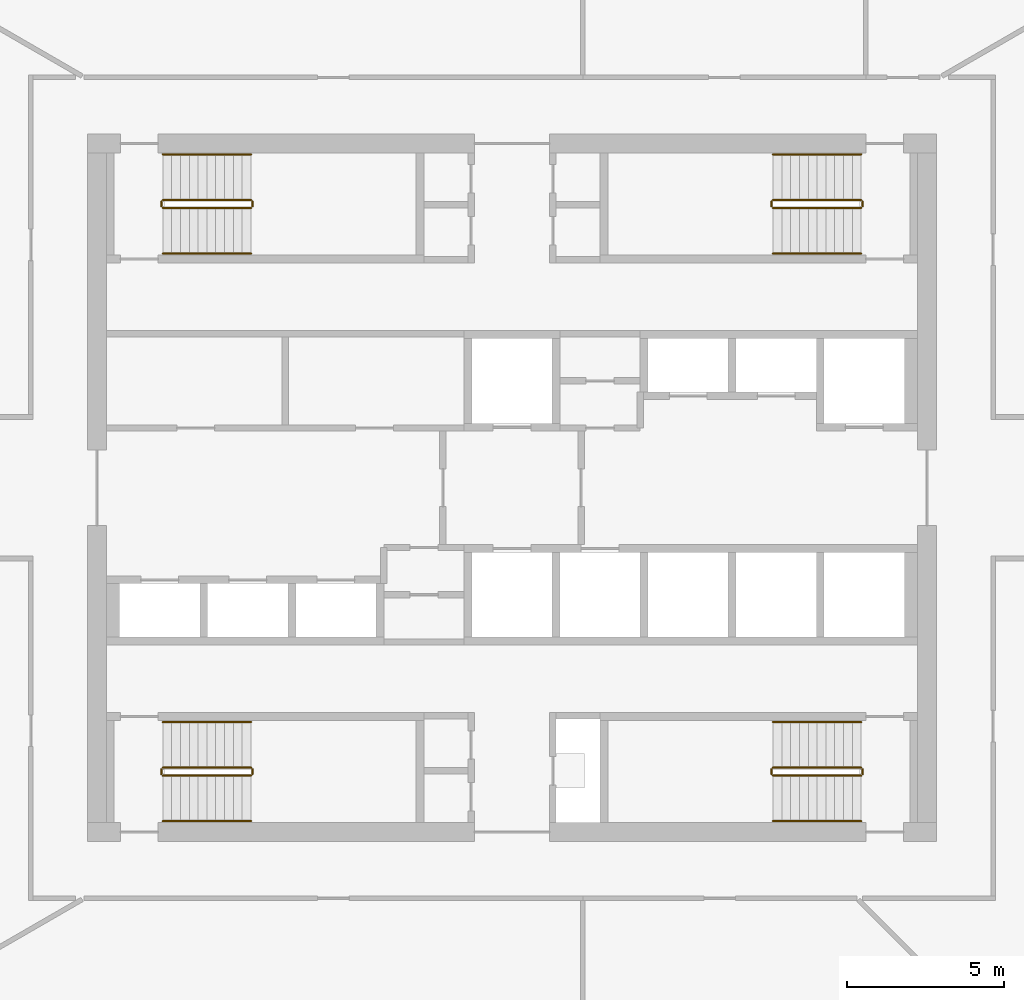
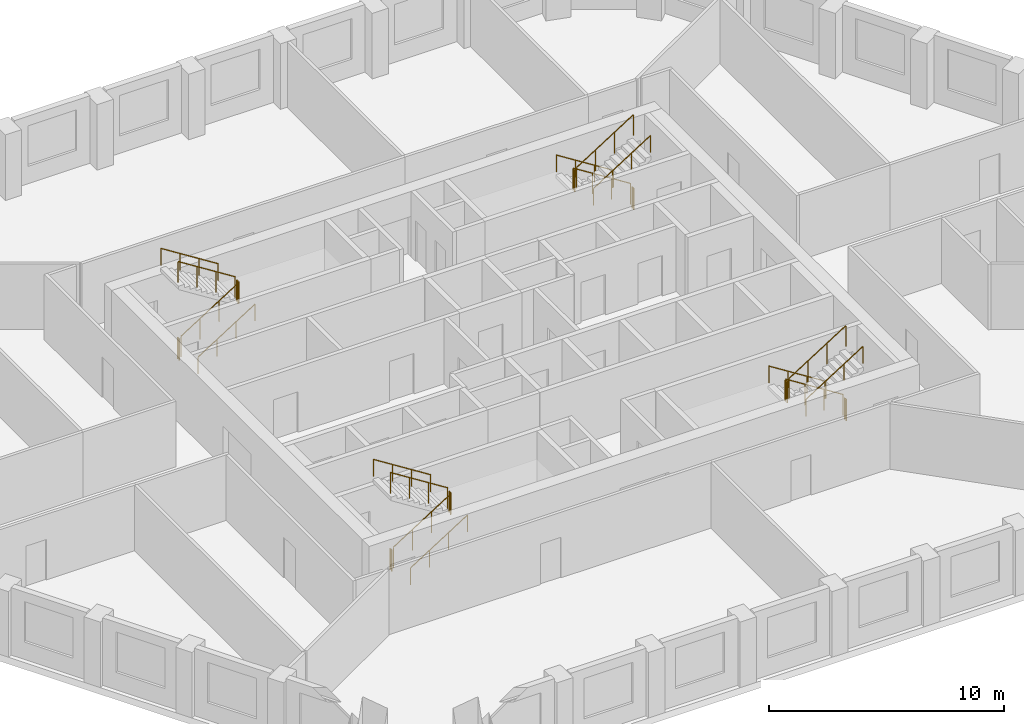
# One storey, part 8 of 8: 24 railings.
"""IFC4 building model written with IfcOpenShell, lengths in metres."""

from ifc_helpers import new_model, si_unit, direction, frame, origin, origin_2d, place, context, subcontext, project, spatial, circle, extrude, material, type_object, element, save


model = new_model("IFC4")

# Units and contexts
model_context = context("Model", 3, precision=1e-05, world=origin(), true_north=direction((0.0, 1.0)))
body_context = subcontext(model_context, "Body", "Model", "MODEL_VIEW")
ifc_project = project(units=[si_unit("LENGTHUNIT", "METRE"), si_unit("AREAUNIT", "SQUARE_METRE"), si_unit("VOLUMEUNIT", "CUBIC_METRE"), si_unit("PLANEANGLEUNIT", "RADIAN"), si_unit("MASSUNIT", "GRAM", prefix="KILO")], contexts=[model_context])

# Site, building, storey
site_placement = place(None, origin())
site = spatial("IfcSite", under=ifc_project, at=site_placement, CompositionType="ELEMENT")
building_placement = place(site_placement, origin())
building = spatial("IfcBuilding", under=site, at=building_placement, Name="Dhurran Vertical Campus", CompositionType="ELEMENT")
storey_placement = place(building_placement, frame((0.0, 0.0, 226.800048828125)))
storey = spatial("IfcBuildingStorey", under=building, at=storey_placement, Name="L56", CompositionType="ELEMENT", Elevation=226.800048828125)

# Railings
ifc_material_1 = material(Name="Stainless steel balustrade", Category="steel")
railing_type_1 = type_object("IfcRailingType", Name="co-RL-GUARD-1100", PredefinedType="GUARDRAIL", material=ifc_material_1)
railing_1_placement = place(storey_placement, frame((-11.10009765625, 8.89990234375, 0.17724609375)))
element("IfcRailing", 1, at=railing_1_placement, inside=storey, type_object=railing_type_1, Name="L56 ST1 stair guard 1", PredefinedType="GUARDRAIL", context=body_context, shape_type="SweptSolid", body=[
    extrude(circle(Radius=0.02392578125, at=origin_2d()), frame((0.0, 0.0, 1.076171875), z_axis=(0.844908973607, 0.0, 0.534910110503), x_axis=(0.0, 1.0, 0.0)), (0.0, 0.0, 1.0), 3.31396484375),
    extrude(circle(Radius=0.02099609375, at=origin_2d()), origin(), (0.0, 0.0, 1.0), 1.052001953125),
    extrude(circle(Radius=0.02099609375, at=origin_2d()), frame((0.933349609375, 0.0, 0.5908203125)), (0.0, 0.0, 1.0), 1.052001953125),
    extrude(circle(Radius=0.02099609375, at=origin_2d()), frame((1.86669921875, 0.0, 1.181884765625)), (0.0, 0.0, 1.0), 1.052001953125),
    extrude(circle(Radius=0.02099609375, at=origin_2d()), frame((2.800048828125, 0.0, 1.772705078125)), (0.0, 0.0, 1.0), 1.052001953125),
])
railing_2_placement = place(storey_placement, frame((-8.25, 8.949951171875, 1.949951171875)))
element("IfcRailing", 2, at=railing_2_placement, inside=storey, type_object=railing_type_1, Name="L56 ST1 stair guard 2", PredefinedType="GUARDRAIL", context=body_context, shape_type="SweptSolid", body=[
    extrude(circle(Radius=0.02392578125, at=origin_2d()), frame((0.0, 0.0, 1.076171875), z_axis=(0.0, 1.0, 0.0), x_axis=(-1.0, 0.0, 0.0)), (0.0, 0.0, 1.0), 0.150146484375),
    extrude(circle(Radius=0.02099609375, at=origin_2d()), origin(), (0.0, 0.0, 1.0), 1.052001953125),
    extrude(circle(Radius=0.02099609375, at=origin_2d()), frame((0.0, 0.150146484375, 0.0)), (0.0, 0.0, 1.0), 1.052001953125),
])
railing_3_placement = place(storey_placement, frame((-8.300048828125, 9.14990234375, 2.127197265625)))
element("IfcRailing", 3, at=railing_3_placement, inside=storey, type_object=railing_type_1, Name="L56 ST1 stair guard 3", PredefinedType="GUARDRAIL", context=body_context, shape_type="SweptSolid", body=[
    extrude(circle(Radius=0.02392578125, at=origin_2d()), frame((0.0, 0.0, 1.076171875), z_axis=(-0.844908973607, 0.0, 0.534910110503), x_axis=(0.0, -1.0, 0.0)), (0.0, 0.0, 1.0), 3.31396484375),
    extrude(circle(Radius=0.02099609375, at=origin_2d()), origin(), (0.0, 0.0, 1.0), 1.052001953125),
    extrude(circle(Radius=0.02099609375, at=origin_2d()), frame((-0.933349609375, 0.0, 0.5908203125)), (0.0, 0.0, 1.0), 1.052001953125),
    extrude(circle(Radius=0.02099609375, at=origin_2d()), frame((-1.86669921875, 0.0, 1.181884765625)), (0.0, 0.0, 1.0), 1.052001953125),
    extrude(circle(Radius=0.02099609375, at=origin_2d()), frame((-2.800048828125, 0.0, 1.772705078125)), (0.0, 0.0, 1.0), 1.052001953125),
])
railing_4_placement = place(storey_placement, frame((-11.14990234375, 8.949951171875, 0.0)))
element("IfcRailing", 4, at=railing_4_placement, inside=storey, type_object=railing_type_1, Name="L56 ST1 stair guard 4", PredefinedType="GUARDRAIL", context=body_context, shape_type="SweptSolid", body=[
    extrude(circle(Radius=0.02392578125, at=origin_2d()), frame((0.0, 0.0, 1.076171875), z_axis=(0.0, 1.0, 0.0), x_axis=(-1.0, 0.0, 0.0)), (0.0, 0.0, 1.0), 0.150146484375),
    extrude(circle(Radius=0.02099609375, at=origin_2d()), origin(), (0.0, 0.0, 1.0), 1.052001953125),
    extrude(circle(Radius=0.02099609375, at=origin_2d()), frame((0.0, 0.150146484375, 0.0)), (0.0, 0.0, 1.0), 1.052001953125),
])
railing_5_placement = place(storey_placement, frame((11.10009765625, 9.14990234375, 0.17724609375)))
element("IfcRailing", 5, at=railing_5_placement, inside=storey, type_object=railing_type_1, Name="L56 ST2 stair guard 1", PredefinedType="GUARDRAIL", context=body_context, shape_type="SweptSolid", body=[
    extrude(circle(Radius=0.02392578125, at=origin_2d()), frame((0.0, 0.0, 1.076171875), z_axis=(-0.844908973607, 0.0, 0.534910110503), x_axis=(0.0, -1.0, 0.0)), (0.0, 0.0, 1.0), 3.31396484375),
    extrude(circle(Radius=0.02099609375, at=origin_2d()), origin(), (0.0, 0.0, 1.0), 1.052001953125),
    extrude(circle(Radius=0.02099609375, at=origin_2d()), frame((-0.933349609375, 0.0, 0.5908203125)), (0.0, 0.0, 1.0), 1.052001953125),
    extrude(circle(Radius=0.02099609375, at=origin_2d()), frame((-1.86669921875, 0.0, 1.181884765625)), (0.0, 0.0, 1.0), 1.052001953125),
    extrude(circle(Radius=0.02099609375, at=origin_2d()), frame((-2.800048828125, 0.0, 1.772705078125)), (0.0, 0.0, 1.0), 1.052001953125),
])
railing_6_placement = place(storey_placement, frame((8.25, 9.10009765625, 1.949951171875)))
element("IfcRailing", 6, at=railing_6_placement, inside=storey, type_object=railing_type_1, Name="L56 ST2 stair guard 2", PredefinedType="GUARDRAIL", context=body_context, shape_type="SweptSolid", body=[
    extrude(circle(Radius=0.02392578125, at=origin_2d()), frame((0.0, 0.0, 1.076171875), z_axis=(0.0, -1.0, 0.0), x_axis=(1.0, 0.0, 0.0)), (0.0, 0.0, 1.0), 0.150146484375),
    extrude(circle(Radius=0.02099609375, at=origin_2d()), origin(), (0.0, 0.0, 1.0), 1.052001953125),
    extrude(circle(Radius=0.02099609375, at=origin_2d()), frame((0.0, -0.150146484375, 0.0)), (0.0, 0.0, 1.0), 1.052001953125),
])
railing_7_placement = place(storey_placement, frame((8.300048828125, 8.89990234375, 2.127197265625)))
element("IfcRailing", 7, at=railing_7_placement, inside=storey, type_object=railing_type_1, Name="L56 ST2 stair guard 3", PredefinedType="GUARDRAIL", context=body_context, shape_type="SweptSolid", body=[
    extrude(circle(Radius=0.02392578125, at=origin_2d()), frame((0.0, 0.0, 1.076171875), z_axis=(0.844908973607, 0.0, 0.534910110503), x_axis=(0.0, 1.0, 0.0)), (0.0, 0.0, 1.0), 3.31396484375),
    extrude(circle(Radius=0.02099609375, at=origin_2d()), origin(), (0.0, 0.0, 1.0), 1.052001953125),
    extrude(circle(Radius=0.02099609375, at=origin_2d()), frame((0.933349609375, 0.0, 0.5908203125)), (0.0, 0.0, 1.0), 1.052001953125),
    extrude(circle(Radius=0.02099609375, at=origin_2d()), frame((1.86669921875, 0.0, 1.181884765625)), (0.0, 0.0, 1.0), 1.052001953125),
    extrude(circle(Radius=0.02099609375, at=origin_2d()), frame((2.800048828125, 0.0, 1.772705078125)), (0.0, 0.0, 1.0), 1.052001953125),
])
railing_8_placement = place(storey_placement, frame((11.14990234375, 9.10009765625, 0.0)))
element("IfcRailing", 8, at=railing_8_placement, inside=storey, type_object=railing_type_1, Name="L56 ST2 stair guard 4", PredefinedType="GUARDRAIL", context=body_context, shape_type="SweptSolid", body=[
    extrude(circle(Radius=0.02392578125, at=origin_2d()), frame((0.0, 0.0, 1.076171875), z_axis=(0.0, -1.0, 0.0), x_axis=(1.0, 0.0, 0.0)), (0.0, 0.0, 1.0), 0.150146484375),
    extrude(circle(Radius=0.02099609375, at=origin_2d()), origin(), (0.0, 0.0, 1.0), 1.052001953125),
    extrude(circle(Radius=0.02099609375, at=origin_2d()), frame((0.0, -0.150146484375, 0.0)), (0.0, 0.0, 1.0), 1.052001953125),
])
railing_9_placement = place(storey_placement, frame((-11.10009765625, -9.14990234375, 0.17724609375)))
element("IfcRailing", 9, at=railing_9_placement, inside=storey, type_object=railing_type_1, Name="L56 ST3 stair guard 1", PredefinedType="GUARDRAIL", context=body_context, shape_type="SweptSolid", body=[
    extrude(circle(Radius=0.02392578125, at=origin_2d()), frame((0.0, 0.0, 1.076171875), z_axis=(0.844908973607, 0.0, 0.534910110503), x_axis=(0.0, 1.0, 0.0)), (0.0, 0.0, 1.0), 3.31396484375),
    extrude(circle(Radius=0.02099609375, at=origin_2d()), origin(), (0.0, 0.0, 1.0), 1.052001953125),
    extrude(circle(Radius=0.02099609375, at=origin_2d()), frame((0.933349609375, 0.0, 0.5908203125)), (0.0, 0.0, 1.0), 1.052001953125),
    extrude(circle(Radius=0.02099609375, at=origin_2d()), frame((1.86669921875, 0.0, 1.181884765625)), (0.0, 0.0, 1.0), 1.052001953125),
    extrude(circle(Radius=0.02099609375, at=origin_2d()), frame((2.800048828125, 0.0, 1.772705078125)), (0.0, 0.0, 1.0), 1.052001953125),
])
railing_10_placement = place(storey_placement, frame((-8.25, -9.10009765625, 1.949951171875)))
element("IfcRailing", 10, at=railing_10_placement, inside=storey, type_object=railing_type_1, Name="L56 ST3 stair guard 2", PredefinedType="GUARDRAIL", context=body_context, shape_type="SweptSolid", body=[
    extrude(circle(Radius=0.02392578125, at=origin_2d()), frame((0.0, 0.0, 1.076171875), z_axis=(0.0, 1.0, 0.0), x_axis=(-1.0, 0.0, 0.0)), (0.0, 0.0, 1.0), 0.150146484375),
    extrude(circle(Radius=0.02099609375, at=origin_2d()), origin(), (0.0, 0.0, 1.0), 1.052001953125),
    extrude(circle(Radius=0.02099609375, at=origin_2d()), frame((0.0, 0.150146484375, 0.0)), (0.0, 0.0, 1.0), 1.052001953125),
])
railing_11_placement = place(storey_placement, frame((-8.300048828125, -8.89990234375, 2.127197265625)))
element("IfcRailing", 11, at=railing_11_placement, inside=storey, type_object=railing_type_1, Name="L56 ST3 stair guard 3", PredefinedType="GUARDRAIL", context=body_context, shape_type="SweptSolid", body=[
    extrude(circle(Radius=0.02392578125, at=origin_2d()), frame((0.0, 0.0, 1.076171875), z_axis=(-0.844908973607, 0.0, 0.534910110503), x_axis=(0.0, -1.0, 0.0)), (0.0, 0.0, 1.0), 3.31396484375),
    extrude(circle(Radius=0.02099609375, at=origin_2d()), origin(), (0.0, 0.0, 1.0), 1.052001953125),
    extrude(circle(Radius=0.02099609375, at=origin_2d()), frame((-0.933349609375, 0.0, 0.5908203125)), (0.0, 0.0, 1.0), 1.052001953125),
    extrude(circle(Radius=0.02099609375, at=origin_2d()), frame((-1.86669921875, 0.0, 1.181884765625)), (0.0, 0.0, 1.0), 1.052001953125),
    extrude(circle(Radius=0.02099609375, at=origin_2d()), frame((-2.800048828125, 0.0, 1.772705078125)), (0.0, 0.0, 1.0), 1.052001953125),
])
railing_12_placement = place(storey_placement, frame((-11.14990234375, -9.10009765625, 0.0)))
element("IfcRailing", 12, at=railing_12_placement, inside=storey, type_object=railing_type_1, Name="L56 ST3 stair guard 4", PredefinedType="GUARDRAIL", context=body_context, shape_type="SweptSolid", body=[
    extrude(circle(Radius=0.02392578125, at=origin_2d()), frame((0.0, 0.0, 1.076171875), z_axis=(0.0, 1.0, 0.0), x_axis=(-1.0, 0.0, 0.0)), (0.0, 0.0, 1.0), 0.150146484375),
    extrude(circle(Radius=0.02099609375, at=origin_2d()), origin(), (0.0, 0.0, 1.0), 1.052001953125),
    extrude(circle(Radius=0.02099609375, at=origin_2d()), frame((0.0, 0.150146484375, 0.0)), (0.0, 0.0, 1.0), 1.052001953125),
])
railing_13_placement = place(storey_placement, frame((11.10009765625, -8.89990234375, 0.17724609375)))
element("IfcRailing", 13, at=railing_13_placement, inside=storey, type_object=railing_type_1, Name="L56 ST4 stair guard 1", PredefinedType="GUARDRAIL", context=body_context, shape_type="SweptSolid", body=[
    extrude(circle(Radius=0.02392578125, at=origin_2d()), frame((0.0, 0.0, 1.076171875), z_axis=(-0.844908973607, 0.0, 0.534910110503), x_axis=(0.0, -1.0, 0.0)), (0.0, 0.0, 1.0), 3.31396484375),
    extrude(circle(Radius=0.02099609375, at=origin_2d()), origin(), (0.0, 0.0, 1.0), 1.052001953125),
    extrude(circle(Radius=0.02099609375, at=origin_2d()), frame((-0.933349609375, 0.0, 0.5908203125)), (0.0, 0.0, 1.0), 1.052001953125),
    extrude(circle(Radius=0.02099609375, at=origin_2d()), frame((-1.86669921875, 0.0, 1.181884765625)), (0.0, 0.0, 1.0), 1.052001953125),
    extrude(circle(Radius=0.02099609375, at=origin_2d()), frame((-2.800048828125, 0.0, 1.772705078125)), (0.0, 0.0, 1.0), 1.052001953125),
])
railing_14_placement = place(storey_placement, frame((8.25, -8.949951171875, 1.949951171875)))
element("IfcRailing", 14, at=railing_14_placement, inside=storey, type_object=railing_type_1, Name="L56 ST4 stair guard 2", PredefinedType="GUARDRAIL", context=body_context, shape_type="SweptSolid", body=[
    extrude(circle(Radius=0.02392578125, at=origin_2d()), frame((0.0, 0.0, 1.076171875), z_axis=(0.0, -1.0, 0.0), x_axis=(1.0, 0.0, 0.0)), (0.0, 0.0, 1.0), 0.150146484375),
    extrude(circle(Radius=0.02099609375, at=origin_2d()), origin(), (0.0, 0.0, 1.0), 1.052001953125),
    extrude(circle(Radius=0.02099609375, at=origin_2d()), frame((0.0, -0.150146484375, 0.0)), (0.0, 0.0, 1.0), 1.052001953125),
])
railing_15_placement = place(storey_placement, frame((8.300048828125, -9.14990234375, 2.127197265625)))
element("IfcRailing", 15, at=railing_15_placement, inside=storey, type_object=railing_type_1, Name="L56 ST4 stair guard 3", PredefinedType="GUARDRAIL", context=body_context, shape_type="SweptSolid", body=[
    extrude(circle(Radius=0.02392578125, at=origin_2d()), frame((0.0, 0.0, 1.076171875), z_axis=(0.844908973607, 0.0, 0.534910110503), x_axis=(0.0, 1.0, 0.0)), (0.0, 0.0, 1.0), 3.31396484375),
    extrude(circle(Radius=0.02099609375, at=origin_2d()), origin(), (0.0, 0.0, 1.0), 1.052001953125),
    extrude(circle(Radius=0.02099609375, at=origin_2d()), frame((0.933349609375, 0.0, 0.5908203125)), (0.0, 0.0, 1.0), 1.052001953125),
    extrude(circle(Radius=0.02099609375, at=origin_2d()), frame((1.86669921875, 0.0, 1.181884765625)), (0.0, 0.0, 1.0), 1.052001953125),
    extrude(circle(Radius=0.02099609375, at=origin_2d()), frame((2.800048828125, 0.0, 1.772705078125)), (0.0, 0.0, 1.0), 1.052001953125),
])
railing_16_placement = place(storey_placement, frame((11.14990234375, -8.949951171875, 0.0)))
element("IfcRailing", 16, at=railing_16_placement, inside=storey, type_object=railing_type_1, Name="L56 ST4 stair guard 4", PredefinedType="GUARDRAIL", context=body_context, shape_type="SweptSolid", body=[
    extrude(circle(Radius=0.02392578125, at=origin_2d()), frame((0.0, 0.0, 1.076171875), z_axis=(0.0, -1.0, 0.0), x_axis=(1.0, 0.0, 0.0)), (0.0, 0.0, 1.0), 0.150146484375),
    extrude(circle(Radius=0.02099609375, at=origin_2d()), origin(), (0.0, 0.0, 1.0), 1.052001953125),
    extrude(circle(Radius=0.02099609375, at=origin_2d()), frame((0.0, -0.150146484375, 0.0)), (0.0, 0.0, 1.0), 1.052001953125),
])
ifc_material_2 = material(Name="Stainless steel handrail", Category="steel")
railing_type_2 = type_object("IfcRailingType", Name="co-RL-HANDRAIL-900", PredefinedType="HANDRAIL", material=ifc_material_2)
railing_17_placement = place(storey_placement, frame((-11.10009765625, 7.449951171875, 0.17724609375)))
element("IfcRailing", 17, at=railing_17_placement, inside=storey, type_object=railing_type_2, Name="L56 ST1 stair handrail 1", PredefinedType="HANDRAIL", context=body_context, shape_type="SweptSolid", body=[
    extrude(circle(Radius=0.02392578125, at=origin_2d()), frame((0.0, 0.0, 0.8759765625), z_axis=(0.844908973607, 0.0, 0.534910110503), x_axis=(0.0, 1.0, 0.0)), (0.0, 0.0, 1.0), 3.31396484375),
    extrude(circle(Radius=0.02099609375, at=origin_2d()), origin(), (0.0, 0.0, 1.0), 0.851806640625),
    extrude(circle(Radius=0.02099609375, at=origin_2d()), frame((0.933349609375, 0.0, 0.5908203125)), (0.0, 0.0, 1.0), 0.851806640625),
    extrude(circle(Radius=0.02099609375, at=origin_2d()), frame((1.86669921875, 0.0, 1.181884765625)), (0.0, 0.0, 1.0), 0.851806640625),
    extrude(circle(Radius=0.02099609375, at=origin_2d()), frame((2.800048828125, 0.0, 1.772705078125)), (0.0, 0.0, 1.0), 0.851806640625),
])
for number, where, name in (
    (18, (-8.300048828125, 10.60009765625, 2.127197265625), "L56 ST1 stair handrail 2"),
    (19, (11.10009765625, 10.60009765625, 0.17724609375), "L56 ST2 stair handrail 1"),
):
    element("IfcRailing", number, at=place(storey_placement, frame(where)), inside=storey, type_object=railing_type_2, Name=name, PredefinedType="HANDRAIL", context=body_context, shape_type="SweptSolid", body=[
        extrude(circle(Radius=0.02392578125, at=origin_2d()), frame((0.0, 0.0, 0.8759765625), z_axis=(-0.844908973607, 0.0, 0.534910110503), x_axis=(0.0, -1.0, 0.0)), (0.0, 0.0, 1.0), 3.31396484375),
        extrude(circle(Radius=0.02099609375, at=origin_2d()), origin(), (0.0, 0.0, 1.0), 0.851806640625),
        extrude(circle(Radius=0.02099609375, at=origin_2d()), frame((-0.933349609375, 0.0, 0.5908203125)), (0.0, 0.0, 1.0), 0.851806640625),
        extrude(circle(Radius=0.02099609375, at=origin_2d()), frame((-1.86669921875, 0.0, 1.181884765625)), (0.0, 0.0, 1.0), 0.851806640625),
        extrude(circle(Radius=0.02099609375, at=origin_2d()), frame((-2.800048828125, 0.0, 1.772705078125)), (0.0, 0.0, 1.0), 0.851806640625),
    ])
for number, where, name in (
    (20, (8.300048828125, 7.449951171875, 2.127197265625), "L56 ST2 stair handrail 2"),
    (21, (-11.10009765625, -10.60009765625, 0.17724609375), "L56 ST3 stair handrail 1"),
):
    element("IfcRailing", number, at=place(storey_placement, frame(where)), inside=storey, type_object=railing_type_2, Name=name, PredefinedType="HANDRAIL", context=body_context, shape_type="SweptSolid", body=[
        extrude(circle(Radius=0.02392578125, at=origin_2d()), frame((0.0, 0.0, 0.8759765625), z_axis=(0.844908973607, 0.0, 0.534910110503), x_axis=(0.0, 1.0, 0.0)), (0.0, 0.0, 1.0), 3.31396484375),
        extrude(circle(Radius=0.02099609375, at=origin_2d()), origin(), (0.0, 0.0, 1.0), 0.851806640625),
        extrude(circle(Radius=0.02099609375, at=origin_2d()), frame((0.933349609375, 0.0, 0.5908203125)), (0.0, 0.0, 1.0), 0.851806640625),
        extrude(circle(Radius=0.02099609375, at=origin_2d()), frame((1.86669921875, 0.0, 1.181884765625)), (0.0, 0.0, 1.0), 0.851806640625),
        extrude(circle(Radius=0.02099609375, at=origin_2d()), frame((2.800048828125, 0.0, 1.772705078125)), (0.0, 0.0, 1.0), 0.851806640625),
    ])
for number, where, name in (
    (22, (-8.300048828125, -7.449951171875, 2.127197265625), "L56 ST3 stair handrail 2"),
    (23, (11.10009765625, -7.449951171875, 0.17724609375), "L56 ST4 stair handrail 1"),
):
    element("IfcRailing", number, at=place(storey_placement, frame(where)), inside=storey, type_object=railing_type_2, Name=name, PredefinedType="HANDRAIL", context=body_context, shape_type="SweptSolid", body=[
        extrude(circle(Radius=0.02392578125, at=origin_2d()), frame((0.0, 0.0, 0.8759765625), z_axis=(-0.844908973607, 0.0, 0.534910110503), x_axis=(0.0, -1.0, 0.0)), (0.0, 0.0, 1.0), 3.31396484375),
        extrude(circle(Radius=0.02099609375, at=origin_2d()), origin(), (0.0, 0.0, 1.0), 0.851806640625),
        extrude(circle(Radius=0.02099609375, at=origin_2d()), frame((-0.933349609375, 0.0, 0.5908203125)), (0.0, 0.0, 1.0), 0.851806640625),
        extrude(circle(Radius=0.02099609375, at=origin_2d()), frame((-1.86669921875, 0.0, 1.181884765625)), (0.0, 0.0, 1.0), 0.851806640625),
        extrude(circle(Radius=0.02099609375, at=origin_2d()), frame((-2.800048828125, 0.0, 1.772705078125)), (0.0, 0.0, 1.0), 0.851806640625),
    ])
railing_18_placement = place(storey_placement, frame((8.300048828125, -10.60009765625, 2.127197265625)))
element("IfcRailing", 24, at=railing_18_placement, inside=storey, type_object=railing_type_2, Name="L56 ST4 stair handrail 2", PredefinedType="HANDRAIL", context=body_context, shape_type="SweptSolid", body=[
    extrude(circle(Radius=0.02392578125, at=origin_2d()), frame((0.0, 0.0, 0.8759765625), z_axis=(0.844908973607, 0.0, 0.534910110503), x_axis=(0.0, 1.0, 0.0)), (0.0, 0.0, 1.0), 3.31396484375),
    extrude(circle(Radius=0.02099609375, at=origin_2d()), origin(), (0.0, 0.0, 1.0), 0.851806640625),
    extrude(circle(Radius=0.02099609375, at=origin_2d()), frame((0.933349609375, 0.0, 0.5908203125)), (0.0, 0.0, 1.0), 0.851806640625),
    extrude(circle(Radius=0.02099609375, at=origin_2d()), frame((1.86669921875, 0.0, 1.181884765625)), (0.0, 0.0, 1.0), 0.851806640625),
    extrude(circle(Radius=0.02099609375, at=origin_2d()), frame((2.800048828125, 0.0, 1.772705078125)), (0.0, 0.0, 1.0), 0.851806640625),
])

save(model, "model.ifc")
